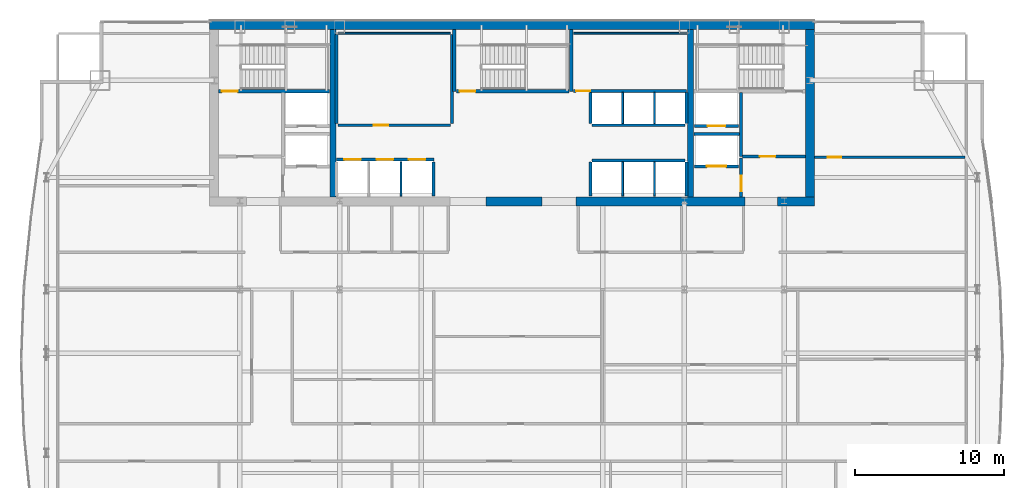
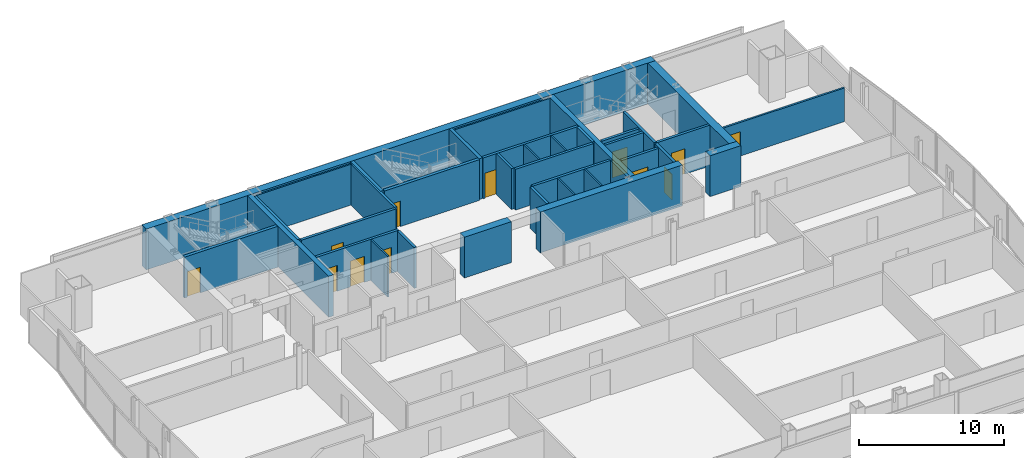
# One storey, part 26 of 29: 37 walls, 12 doors, 12 openings.
"""IFC4 building model written with IfcOpenShell, lengths in metres."""

from ifc_helpers import new_model, si_unit, direction, frame, frame_2d, origin, place, context, subcontext, project, spatial, rectangle, extrude, material, layer, layer_set, type_object, element, fill, save


model = new_model("IFC4")

# Units and contexts
model_context = context("Model", 3, precision=1e-05, world=origin(), true_north=direction((0.0, 1.0)))
body_context = subcontext(model_context, "Body", "Model", "MODEL_VIEW")
ifc_project = project(units=[si_unit("LENGTHUNIT", "METRE"), si_unit("AREAUNIT", "SQUARE_METRE"), si_unit("VOLUMEUNIT", "CUBIC_METRE"), si_unit("PLANEANGLEUNIT", "RADIAN"), si_unit("MASSUNIT", "GRAM", prefix="KILO")], contexts=[model_context])

# Site, building, storey
site_placement = place(None, origin())
site = spatial("IfcSite", under=ifc_project, at=site_placement, CompositionType="ELEMENT")
building_placement = place(site_placement, origin())
building = spatial("IfcBuilding", under=site, at=building_placement, Name="Khoronbel Lancet Exchange", CompositionType="ELEMENT")
storey_placement = place(building_placement, frame((0.0, 0.0, 177.0)))
storey = spatial("IfcBuildingStorey", under=building, at=storey_placement, Name="L44", CompositionType="ELEMENT", Elevation=177.0)

# Walls
ifc_material_1 = material(Name="Concrete C60/75", Category="concrete")
ifc_layer_1 = layer(ifc_material_1, 0.60009765625, Name="Concrete C60/75")
ifc_layer_set_1 = layer_set([ifc_layer_1], Name="Concrete C60/75")
wall_type_1 = type_object("IfcWallType", Name="WL-CW3", PredefinedType="SHEAR", material=ifc_layer_set_1)
wall_1_placement = place(storey_placement, frame((16.199951171875, 53.39990234375, 0.0), z_axis=(0.0, 0.0, 1.0), x_axis=(1.0, 0.0, 0.0)))
element("IfcWall", 1, at=wall_1_placement, inside=storey, type_object=wall_type_1, Name="Level L44 rear core north shear wall", PredefinedType="SHEAR", context=body_context, shape_type="SweptSolid", body=[
    extrude(rectangle(XDim=40.5, YDim=0.60009765625, at=frame_2d((20.25, 0.0))), origin(), (0.0, 0.0, 1.0), 3.43994140625),
])
wall_2_placement = place(storey_placement, frame((56.39990234375, 53.10009765625, 0.0), z_axis=(0.0, 0.0, 1.0), x_axis=(0.0, -1.0, 0.0)))
element("IfcWall", 2, at=wall_2_placement, inside=storey, type_object=wall_type_1, Name="Level L44 rear core east shear wall", PredefinedType="SHEAR", context=body_context, shape_type="SweptSolid", body=[
    extrude(rectangle(XDim=11.2001953125, YDim=0.60009765625, at=frame_2d((5.60009765625, 0.0))), origin(), (0.0, 0.0, 1.0), 3.43994140625),
])
wall_3_placement = place(storey_placement, frame((38.449951171875, 41.60009765625, 0.0), z_axis=(0.0, 0.0, 1.0), x_axis=(-1.0, 0.0, 0.0)))
element("IfcWall", 3, at=wall_3_placement, inside=storey, type_object=wall_type_1, Name="Level L44 rear core south shear wall pier P3", PredefinedType="SHEAR", context=body_context, shape_type="SweptSolid", body=[
    extrude(rectangle(XDim=3.75, YDim=0.60009765625, at=frame_2d((1.875, 0.0))), origin(), (0.0, 0.0, 1.0), 3.43994140625),
])
wall_4_placement = place(storey_placement, frame((52.050048828125, 41.60009765625, 0.0), z_axis=(0.0, 0.0, 1.0), x_axis=(-1.0, 0.0, 0.0)))
element("IfcWall", 4, at=wall_4_placement, inside=storey, type_object=wall_type_1, Name="Level L44 rear core south shear wall pier P4", PredefinedType="SHEAR", context=body_context, shape_type="SweptSolid", body=[
    extrude(rectangle(XDim=11.300048828125, YDim=0.60009765625, at=frame_2d((5.64990234375, 0.0))), origin(), (0.0, 0.0, 1.0), 3.43994140625),
])
wall_5_placement = place(storey_placement, frame((56.699951171875, 41.60009765625, 0.0), z_axis=(0.0, 0.0, 1.0), x_axis=(-1.0, 0.0, 0.0)))
element("IfcWall", 5, at=wall_5_placement, inside=storey, type_object=wall_type_1, Name="Level L44 rear core south shear wall pier P5", PredefinedType="SHEAR", context=body_context, shape_type="SweptSolid", body=[
    extrude(rectangle(XDim=2.449951171875, YDim=0.60009765625, at=frame_2d((1.22509765625, 0.0))), origin(), (0.0, 0.0, 1.0), 3.43994140625),
])

# Wall, opening, door
ifc_material_2 = material(Name="Acoustic Metal-Stud & Mineral-Wool Gypsum Partition 120 mm", Category="gypsum")
ifc_layer_2 = layer(ifc_material_2, 0.1201171875, Name="Acoustic Metal-Stud & Mineral-Wool Gypsum Partition 120 mm")
ifc_layer_set_2 = layer_set([ifc_layer_2], Name="Acoustic Metal-Stud & Mineral-Wool Gypsum Partition 120 mm")
wall_type_2 = type_object("IfcWallType", Name="WL-PRT120", PredefinedType="PARTITIONING", material=ifc_layer_set_2)
wall_6_placement = place(storey_placement, frame((56.699951171875, 44.56005859375, 0.0), z_axis=(0.0, 0.0, 1.0), x_axis=(1.0, 0.0, 0.0)))
wall_6 = element("IfcWall", 6, at=wall_6_placement, inside=storey, type_object=wall_type_2, Name="Level L44 interior partition PW-NE-H", PredefinedType="PARTITIONING", context=body_context, shape_type="SweptSolid", body=[
    extrude(rectangle(XDim=10.10498046875, YDim=0.14990234375, at=frame_2d((5.052490234375, 0.0))), origin(), (0.0, 0.0, 1.0), 2.830078125),
])
opening_1_placement = place(wall_6_placement, frame((0.89990234375, 0.0, 0.0)))
opening_1 = element("IfcOpeningElement", 7, at=opening_1_placement, cuts=wall_6, Name="Opening D5", PredefinedType="OPENING", context=body_context, shape_type="SweptSolid", body=[
    extrude(rectangle(XDim=0.89990234375, YDim=2.050048828125, at=frame_2d((0.449951171875, 1.02490234375))), frame((0.0, 0.0849609375, 0.0), z_axis=(0.0, -1.0, 0.0), x_axis=(1.0, 0.0, 0.0)), (0.0, 0.0, 1.0), 0.169921875),
])
ifc_material_3 = material(Name="Acoustic Timber Pantry & Support Door", Category="wood")
door_type_1 = type_object("IfcDoorType", Name="DR-D5", OperationType="NOTDEFINED", PredefinedType="DOOR", material=ifc_material_3)
door_1_placement = place(opening_1_placement, origin())
door_1 = element("IfcDoor", 8, at=door_1_placement, inside=storey, type_object=door_type_1, Name="NE north room door L44-1", OperationType="SINGLE_SWING_LEFT", OverallHeight=2.050048828125, OverallWidth=0.89990234375, PredefinedType="DOOR", context=body_context, shape_type="SweptSolid", body=[
    extrude(rectangle(XDim=0.89990234375, YDim=2.050048828125, at=frame_2d((0.449951171875, 1.02490234375))), frame((0.0, 0.02490234375, 0.0), z_axis=(0.0, -1.0, 0.0), x_axis=(1.0, 0.0, 0.0)), (0.0, 0.0, 1.0), 0.050048828125),
])
fill(opening_1, door_1)

# Walls
ifc_material_4 = material(Name="Fire-Rated Metal-Stud & Mineral-Wool Gypsum Partition 120 mm", Category="gypsum")
ifc_layer_3 = layer(ifc_material_4, 0.1201171875, Name="Fire-Rated Metal-Stud & Mineral-Wool Gypsum Partition 120 mm")
ifc_layer_set_3 = layer_set([ifc_layer_3], Name="Fire-Rated Metal-Stud & Mineral-Wool Gypsum Partition 120 mm")
wall_type_3 = type_object("IfcWallType", Name="WL-PRT120F", PredefinedType="PARTITIONING", material=ifc_layer_set_3)
wall_7_placement = place(storey_placement, frame((24.804931640625, 52.860107421875, 0.0), z_axis=(0.0, 0.0, 1.0), x_axis=(1.0, 0.0, 0.0)))
element("IfcWall", 9, at=wall_7_placement, inside=storey, type_object=wall_type_3, Name="Level L44 interior partition CW-PL-RN", PredefinedType="PARTITIONING", context=body_context, shape_type="SweptSolid", body=[
    extrude(rectangle(XDim=7.510009765625, YDim=0.1201171875, at=frame_2d((3.7548828125, 0.0))), origin(), (0.0, 0.0, 1.0), 3.43994140625),
])
wall_8_placement = place(storey_placement, frame((29.02001953125, 41.949951171875, 0.0), z_axis=(0.0, 0.0, 1.0), x_axis=(0.0, 1.0, 0.0)))
element("IfcWall", 10, at=wall_8_placement, inside=storey, type_object=wall_type_3, Name="Level L44 interior partition CW-PM-D2", PredefinedType="PARTITIONING", context=body_context, shape_type="SweptSolid", body=[
    extrude(rectangle(XDim=2.300048828125, YDim=0.1201171875, at=frame_2d((1.14990234375, 0.0))), origin(), (0.0, 0.0, 1.0), 3.43994140625),
])
for number, where, z_axis, x_axis, name in (
    (11, (43.860107421875, 46.804931640625, 0.0), (0.0, 0.0, 1.0), (0.0, 1.0, 0.0), "Level L44 interior partition CW-PH-D1"),
    (12, (46.0, 46.804931640625, 0.0), (0.0, 0.0, 1.0), (0.0, 1.0, 0.0), "Level L44 interior partition CW-PH-D2"),
):
    element("IfcWall", number, at=place(storey_placement, frame(where, z_axis=z_axis, x_axis=x_axis)), inside=storey, type_object=wall_type_3, Name=name, PredefinedType="PARTITIONING", context=body_context, shape_type="SweptSolid", body=[
        extrude(rectangle(XDim=2.090087890625, YDim=0.1201171875, at=frame_2d((1.044921875, 0.0))), origin(), (0.0, 0.0, 1.0), 3.43994140625),
    ])
for number, where, z_axis, x_axis, name in (
    (13, (43.860107421875, 41.949951171875, 0.0), (0.0, 0.0, 1.0), (0.0, 1.0, 0.0), "Level L44 interior partition CW-PX-D1"),
    (14, (46.0, 41.949951171875, 0.0), (0.0, 0.0, 1.0), (0.0, 1.0, 0.0), "Level L44 interior partition CW-PX-D2"),
):
    element("IfcWall", number, at=place(storey_placement, frame(where, z_axis=z_axis, x_axis=x_axis)), inside=storey, type_object=wall_type_3, Name=name, PredefinedType="PARTITIONING", context=body_context, shape_type="SweptSolid", body=[
        extrude(rectangle(XDim=2.295166015625, YDim=0.1201171875, at=frame_2d((1.1474609375, 0.0))), origin(), (0.0, 0.0, 1.0), 3.43994140625),
    ])
wall_9_placement = place(storey_placement, frame((40.580078125, 52.860107421875, 0.0), z_axis=(0.0, 0.0, 1.0), x_axis=(1.0, 0.0, 0.0)))
element("IfcWall", 15, at=wall_9_placement, inside=storey, type_object=wall_type_3, Name="Level L44 interior partition CW-SUP-NE-N", PredefinedType="PARTITIONING", context=body_context, shape_type="SweptSolid", body=[
    extrude(rectangle(XDim=7.559814453125, YDim=0.1201171875, at=frame_2d((3.77978515625, 0.0))), origin(), (0.0, 0.0, 1.0), 3.43994140625),
])

# Wall, openings, doors
ifc_material_5 = material(Name="Autoclaved Aerated Concrete Blockwork 200 mm", Category="masonry")
ifc_layer_4 = layer(ifc_material_5, 0.199951171875, Name="Autoclaved Aerated Concrete Blockwork 200 mm")
ifc_layer_set_4 = layer_set([ifc_layer_4], Name="Autoclaved Aerated Concrete Blockwork 200 mm")
wall_type_4 = type_object("IfcWallType", Name="WL-PRT200", PredefinedType="PARTITIONING", material=ifc_layer_set_4)
wall_10_placement = place(storey_placement, frame((24.68994140625, 44.39990234375, 0.0), z_axis=(0.0, 0.0, 1.0), x_axis=(1.0, 0.0, 0.0)))
wall_10 = element("IfcWall", 16, at=wall_10_placement, inside=storey, type_object=wall_type_4, Name="Level L44 elevator hoistway landing front wall PMW", PredefinedType="PARTITIONING", context=body_context, shape_type="SweptSolid", body=[
    extrude(rectangle(XDim=6.530029296875, YDim=0.199951171875, at=frame_2d((3.26513671875, 0.0))), origin(), (0.0, 0.0, 1.0), 3.43994140625),
])
opening_2_placement = place(wall_10_placement, frame((0.530029296875, 0.0, 0.0)))
opening_2 = element("IfcOpeningElement", 17, at=opening_2_placement, cuts=wall_10, Name="Opening LD-PM1", PredefinedType="OPENING", context=body_context, shape_type="SweptSolid", body=[
    extrude(rectangle(XDim=1.10009765625, YDim=2.179931640625, at=frame_2d((0.550048828125, 1.08984375))), frame((0.0, 0.10986328125, 0.0), z_axis=(0.0, -1.0, 0.0), x_axis=(1.0, 0.0, 0.0)), (0.0, 0.0, 1.0), 0.219970703125),
])
opening_3_placement = place(wall_10_placement, frame((2.68994140625, 0.0, 0.0)))
opening_3 = element("IfcOpeningElement", 18, at=opening_3_placement, cuts=wall_10, Name="Opening LD-PM2", PredefinedType="OPENING", context=body_context, shape_type="SweptSolid", body=[
    extrude(rectangle(XDim=1.10009765625, YDim=2.179931640625, at=frame_2d((0.550048828125, 1.08984375))), frame((0.0, 0.10986328125, 0.0), z_axis=(0.0, -1.0, 0.0), x_axis=(1.0, 0.0, 0.0)), (0.0, 0.0, 1.0), 0.219970703125),
])
opening_4_placement = place(wall_10_placement, frame((4.85009765625, 0.0, 0.0)))
opening_4 = element("IfcOpeningElement", 19, at=opening_4_placement, cuts=wall_10, Name="Opening LD-PM3", PredefinedType="OPENING", context=body_context, shape_type="SweptSolid", body=[
    extrude(rectangle(XDim=1.10009765625, YDim=2.179931640625, at=frame_2d((0.550048828125, 1.08984375))), frame((0.0, 0.10986328125, 0.0), z_axis=(0.0, -1.0, 0.0), x_axis=(1.0, 0.0, 0.0)), (0.0, 0.0, 1.0), 0.219970703125),
])
ifc_material_6 = material(Name="Brushed Bronze Bi-Parting Elevator Landing Door", Category="steel")
door_type_2 = type_object("IfcDoorType", Name="DR-LD-PAX", OperationType="NOTDEFINED", PredefinedType="DOOR", material=ifc_material_6)
door_2_placement = place(opening_2_placement, origin())
door_2 = element("IfcDoor", 20, at=door_2_placement, inside=storey, type_object=door_type_2, Name="Elevator landing sliding door LD-PM1 L44", OperationType="SLIDING_TO_LEFT", OverallHeight=2.179931640625, OverallWidth=1.10009765625, PredefinedType="DOOR", context=body_context, shape_type="SweptSolid", body=[
    extrude(rectangle(XDim=1.10009765625, YDim=2.179931640625, at=frame_2d((0.550048828125, 1.08984375))), frame((0.0, 0.02490234375, 0.0), z_axis=(0.0, -1.0, 0.0), x_axis=(1.0, 0.0, 0.0)), (0.0, 0.0, 1.0), 0.050048828125),
])
fill(opening_2, door_2)
door_3_placement = place(opening_3_placement, origin())
door_3 = element("IfcDoor", 21, at=door_3_placement, inside=storey, type_object=door_type_2, Name="Elevator landing sliding door LD-PM2 L44", OperationType="SLIDING_TO_LEFT", OverallHeight=2.179931640625, OverallWidth=1.10009765625, PredefinedType="DOOR", context=body_context, shape_type="SweptSolid", body=[
    extrude(rectangle(XDim=1.10009765625, YDim=2.179931640625, at=frame_2d((0.550048828125, 1.08984375))), frame((0.0, 0.02490234375, 0.0), z_axis=(0.0, -1.0, 0.0), x_axis=(1.0, 0.0, 0.0)), (0.0, 0.0, 1.0), 0.050048828125),
])
fill(opening_3, door_3)
door_4_placement = place(opening_4_placement, origin())
door_4 = element("IfcDoor", 22, at=door_4_placement, inside=storey, type_object=door_type_2, Name="Elevator landing sliding door LD-PM3 L44", OperationType="SLIDING_TO_LEFT", OverallHeight=2.179931640625, OverallWidth=1.10009765625, PredefinedType="DOOR", context=body_context, shape_type="SweptSolid", body=[
    extrude(rectangle(XDim=1.10009765625, YDim=2.179931640625, at=frame_2d((0.550048828125, 1.08984375))), frame((0.0, 0.02490234375, 0.0), z_axis=(0.0, -1.0, 0.0), x_axis=(1.0, 0.0, 0.0)), (0.0, 0.0, 1.0), 0.050048828125),
])
fill(opening_4, door_4)

# Wall, opening, door
wall_11_placement = place(storey_placement, frame((51.610107421875, 43.949951171875, 0.0), z_axis=(0.0, 0.0, 1.0), x_axis=(-1.0, 0.0, 0.0)))
wall_11 = element("IfcWall", 23, at=wall_11_placement, inside=storey, type_object=wall_type_4, Name="Level L44 elevator hoistway landing front wall SVLE", PredefinedType="PARTITIONING", context=body_context, shape_type="SweptSolid", body=[
    extrude(rectangle(XDim=2.920166015625, YDim=0.199951171875, at=frame_2d((1.4599609375, 0.0))), origin(), (0.0, 0.0, 1.0), 3.43994140625),
])
opening_5_placement = place(wall_11_placement, frame((0.81005859375, 0.0, 0.0)))
opening_5 = element("IfcOpeningElement", 24, at=opening_5_placement, cuts=wall_11, Name="Opening LD-SVL2", PredefinedType="OPENING", context=body_context, shape_type="SweptSolid", body=[
    extrude(rectangle(XDim=1.300048828125, YDim=2.179931640625, at=frame_2d((0.64990234375, 1.08984375))), frame((0.0, 0.10986328125, 0.0), z_axis=(0.0, -1.0, 0.0), x_axis=(1.0, 0.0, 0.0)), (0.0, 0.0, 1.0), 0.219970703125),
])
ifc_material_7 = material(Name="Heavy-Duty Bi-Parting Goods Lift Landing Door", Category="steel")
door_type_3 = type_object("IfcDoorType", Name="DR-LD-SVL", OperationType="NOTDEFINED", PredefinedType="DOOR", material=ifc_material_7)
door_5_placement = place(opening_5_placement, origin())
door_5 = element("IfcDoor", 25, at=door_5_placement, inside=storey, type_object=door_type_3, Name="Elevator landing sliding door LD-SVL2 L44", OperationType="SLIDING_TO_LEFT", OverallHeight=2.179931640625, OverallWidth=1.300048828125, PredefinedType="DOOR", context=body_context, shape_type="SweptSolid", body=[
    extrude(rectangle(XDim=1.300048828125, YDim=2.179931640625, at=frame_2d((0.64990234375, 1.08984375))), frame((0.0, 0.02490234375, 0.0), z_axis=(0.0, -1.0, 0.0), x_axis=(1.0, 0.0, 0.0)), (0.0, 0.0, 1.0), 0.050048828125),
])
fill(opening_5, door_5)

wall_12_placement = place(storey_placement, frame((51.610107421875, 46.64990234375, 0.0), z_axis=(0.0, 0.0, 1.0), x_axis=(-1.0, 0.0, 0.0)))
wall_12 = element("IfcWall", 26, at=wall_12_placement, inside=storey, type_object=wall_type_4, Name="Level L44 elevator hoistway landing front wall FFLE", PredefinedType="PARTITIONING", context=body_context, shape_type="SweptSolid", body=[
    extrude(rectangle(XDim=2.920166015625, YDim=0.199951171875, at=frame_2d((1.4599609375, 0.0))), origin(), (0.0, 0.0, 1.0), 3.43994140625),
])
opening_6_placement = place(wall_12_placement, frame((0.860107421875, 0.0, 0.0)))
opening_6 = element("IfcOpeningElement", 27, at=opening_6_placement, cuts=wall_12, Name="Opening LD-FFL2", PredefinedType="OPENING", context=body_context, shape_type="SweptSolid", body=[
    extrude(rectangle(XDim=1.199951171875, YDim=2.179931640625, at=frame_2d((0.60009765625, 1.08984375))), frame((0.0, 0.10986328125, 0.0), z_axis=(0.0, -1.0, 0.0), x_axis=(1.0, 0.0, 0.0)), (0.0, 0.0, 1.0), 0.219970703125),
])
ifc_material_8 = material(Name="Fire-Rated Stainless Bi-Parting Firefighting Lift Door", Category="steel")
door_type_4 = type_object("IfcDoorType", Name="DR-LD-FFL", OperationType="NOTDEFINED", PredefinedType="DOOR", material=ifc_material_8)
door_6_placement = place(opening_6_placement, origin())
door_6 = element("IfcDoor", 28, at=door_6_placement, inside=storey, type_object=door_type_4, Name="Elevator landing sliding door LD-FFL2 L44", OperationType="SLIDING_TO_LEFT", OverallHeight=2.179931640625, OverallWidth=1.199951171875, PredefinedType="DOOR", context=body_context, shape_type="SweptSolid", body=[
    extrude(rectangle(XDim=1.199951171875, YDim=2.179931640625, at=frame_2d((0.60009765625, 1.08984375))), frame((0.0, 0.02490234375, 0.0), z_axis=(0.0, -1.0, 0.0), x_axis=(1.0, 0.0, 0.0)), (0.0, 0.0, 1.0), 0.050048828125),
])
fill(opening_6, door_6)

# Wall
wall_13_placement = place(storey_placement, frame((51.800048828125, 44.60009765625, 0.0), z_axis=(0.0, 0.0, 1.0), x_axis=(0.0, 1.0, 0.0)))
element("IfcWall", 29, at=wall_13_placement, inside=storey, type_object=wall_type_4, Name="Level L44 interior partition CW-FFLE-W", PredefinedType="PARTITIONING", context=body_context, shape_type="SweptSolid", body=[
    extrude(rectangle(XDim=4.2998046875, YDim=0.199951171875, at=frame_2d((2.14990234375, 0.0))), origin(), (0.0, 0.0, 1.0), 3.43994140625),
])

# Wall, opening, door
wall_14_placement = place(storey_placement, frame((51.89990234375, 44.60009765625, 0.0), z_axis=(0.0, 0.0, 1.0), x_axis=(1.0, 0.0, 0.0)))
wall_14 = element("IfcWall", 30, at=wall_14_placement, inside=storey, type_object=wall_type_4, Name="Level L44 interior partition CW-FFLE-S", PredefinedType="PARTITIONING", context=body_context, shape_type="SweptSolid", body=[
    extrude(rectangle(XDim=4.2001953125, YDim=0.199951171875, at=frame_2d((2.10009765625, 0.0))), origin(), (0.0, 0.0, 1.0), 3.43994140625),
])
opening_7_placement = place(wall_14_placement, frame((1.14990234375, 0.0, 0.0)))
opening_7 = element("IfcOpeningElement", 31, at=opening_7_placement, cuts=wall_14, Name="Opening FD1", PredefinedType="OPENING", context=body_context, shape_type="SweptSolid", body=[
    extrude(rectangle(XDim=1.050048828125, YDim=2.14990234375, at=frame_2d((0.52490234375, 1.074951171875))), frame((0.0, 0.10986328125, 0.0), z_axis=(0.0, -1.0, 0.0), x_axis=(1.0, 0.0, 0.0)), (0.0, 0.0, 1.0), 0.219970703125),
])
ifc_material_9 = material(Name="Fire-Rated Painted Steel Door Assembly", Category="steel")
door_type_5 = type_object("IfcDoorType", Name="DR-FD1", OperationType="NOTDEFINED", PredefinedType="DOOR", material=ifc_material_9)
door_7_placement = place(opening_7_placement, origin())
door_7 = element("IfcDoor", 32, at=door_7_placement, inside=storey, type_object=door_type_5, Name="East firefighting lobby FD90S door L44-1", OperationType="SINGLE_SWING_LEFT", OverallHeight=2.14990234375, OverallWidth=1.050048828125, PredefinedType="DOOR", context=body_context, shape_type="SweptSolid", body=[
    extrude(rectangle(XDim=1.050048828125, YDim=2.14990234375, at=frame_2d((0.52490234375, 1.074951171875))), frame((0.0, 0.02490234375, 0.0), z_axis=(0.0, -1.0, 0.0), x_axis=(1.0, 0.0, 0.0)), (0.0, 0.0, 1.0), 0.050048828125),
])
fill(opening_7, door_7)

# Wall
wall_15_placement = place(storey_placement, frame((48.6298828125, 46.1201171875, 0.0), z_axis=(0.0, 0.0, 1.0), x_axis=(1.0, 0.0, 0.0)))
element("IfcWall", 33, at=wall_15_placement, inside=storey, type_object=wall_type_4, Name="Level L44 interior partition CW-FFL2-S", PredefinedType="PARTITIONING", context=body_context, shape_type="SweptSolid", body=[
    extrude(rectangle(XDim=3.070068359375, YDim=0.199951171875, at=frame_2d((1.53515625, 0.0))), origin(), (0.0, 0.0, 1.0), 3.43994140625),
])

# Wall, opening, door
wall_16_placement = place(storey_placement, frame((51.800048828125, 41.89990234375, 0.0), z_axis=(0.0, 0.0, 1.0), x_axis=(0.0, 1.0, 0.0)))
wall_16 = element("IfcWall", 34, at=wall_16_placement, inside=storey, type_object=wall_type_4, Name="Level L44 interior partition CW-SVLE-E", PredefinedType="PARTITIONING", context=body_context, shape_type="SweptSolid", body=[
    extrude(rectangle(XDim=2.59521484375, YDim=0.199951171875, at=frame_2d((1.297607421875, 0.0))), origin(), (0.0, 0.0, 1.0), 3.43994140625),
])
opening_8_placement = place(wall_16_placement, frame((0.3798828125, 0.0, 0.0)))
opening_8 = element("IfcOpeningElement", 35, at=opening_8_placement, cuts=wall_16, Name="Opening FD1", PredefinedType="OPENING", context=body_context, shape_type="SweptSolid", body=[
    extrude(rectangle(XDim=1.050048828125, YDim=2.14990234375, at=frame_2d((0.52490234375, 1.074951171875))), frame((0.0, 0.10986328125, 0.0), z_axis=(0.0, -1.0, 0.0), x_axis=(1.0, 0.0, 0.0)), (0.0, 0.0, 1.0), 0.219970703125),
])
door_8_placement = place(opening_8_placement, origin())
door_8 = element("IfcDoor", 36, at=door_8_placement, inside=storey, type_object=door_type_5, Name="East service lift lobby door L44-1", OperationType="SINGLE_SWING_RIGHT", OverallHeight=2.14990234375, OverallWidth=1.050048828125, PredefinedType="DOOR", context=body_context, shape_type="SweptSolid", body=[
    extrude(rectangle(XDim=1.050048828125, YDim=2.14990234375, at=frame_2d((0.52490234375, 1.074951171875))), frame((0.0, 0.02490234375, 0.0), z_axis=(0.0, -1.0, 0.0), x_axis=(1.0, 0.0, 0.0)), (0.0, 0.0, 1.0), 0.050048828125),
])
fill(opening_8, door_8)

# Walls
for number, where, z_axis, x_axis, name in (
    (37, (24.699951171875, 46.804931640625, 0.0), (0.0, 0.0, 1.0), (0.0, 1.0, 0.0), "Level L44 interior partition CW-PL-RW"),
    (38, (32.419921875, 46.804931640625, 0.0), (0.0, 0.0, 1.0), (0.0, 1.0, 0.0), "Level L44 interior partition CW-PL-RE"),
):
    element("IfcWall", number, at=place(storey_placement, frame(where, z_axis=z_axis, x_axis=x_axis)), inside=storey, type_object=wall_type_4, Name=name, PredefinedType="PARTITIONING", context=body_context, shape_type="SweptSolid", body=[
        extrude(rectangle(XDim=5.989990234375, YDim=0.199951171875, at=frame_2d((2.9951171875, 0.0))), origin(), (0.0, 0.0, 1.0), 3.43994140625),
    ])

# Wall, opening, door
wall_17_placement = place(storey_placement, frame((24.804931640625, 46.699951171875, 0.0), z_axis=(0.0, 0.0, 1.0), x_axis=(1.0, 0.0, 0.0)))
wall_17 = element("IfcWall", 39, at=wall_17_placement, inside=storey, type_object=wall_type_4, Name="Level L44 interior partition CW-PL-RF", PredefinedType="PARTITIONING", context=body_context, shape_type="SweptSolid", body=[
    extrude(rectangle(XDim=7.510009765625, YDim=0.199951171875, at=frame_2d((3.7548828125, 0.0))), origin(), (0.0, 0.0, 1.0), 3.43994140625),
])
opening_9_placement = place(wall_17_placement, frame((2.39990234375, 0.0, 0.0)))
opening_9 = element("IfcOpeningElement", 40, at=opening_9_placement, cuts=wall_17, Name="Opening FD3", PredefinedType="OPENING", context=body_context, shape_type="SweptSolid", body=[
    extrude(rectangle(XDim=0.949951171875, YDim=2.10009765625, at=frame_2d((0.47509765625, 1.050048828125))), frame((0.0, 0.10986328125, 0.0), z_axis=(0.0, -1.0, 0.0), x_axis=(1.0, 0.0, 0.0)), (0.0, 0.0, 1.0), 0.219970703125),
])
ifc_material_10 = material(Name="Fire-Rated Steel Plant & Riser Door Assembly", Category="steel")
door_type_6 = type_object("IfcDoorType", Name="DR-FD3", OperationType="NOTDEFINED", PredefinedType="DOOR", material=ifc_material_10)
door_9_placement = place(opening_9_placement, origin())
door_9 = element("IfcDoor", 41, at=door_9_placement, inside=storey, type_object=door_type_6, Name="Reclaimed PL room door L44-1", OperationType="SINGLE_SWING_LEFT", OverallHeight=2.10009765625, OverallWidth=0.949951171875, PredefinedType="DOOR", context=body_context, shape_type="SweptSolid", body=[
    extrude(rectangle(XDim=0.949951171875, YDim=2.10009765625, at=frame_2d((0.47509765625, 1.050048828125))), frame((0.0, 0.02490234375, 0.0), z_axis=(0.0, -1.0, 0.0), x_axis=(1.0, 0.0, 0.0)), (0.0, 0.0, 1.0), 0.050048828125),
])
fill(opening_9, door_9)

# Walls
wall_18_placement = place(storey_placement, frame((31.179931640625, 41.949951171875, 0.0), z_axis=(0.0, 0.0, 1.0), x_axis=(0.0, 1.0, 0.0)))
element("IfcWall", 42, at=wall_18_placement, inside=storey, type_object=wall_type_4, Name="Level L44 interior partition CW-PM-E", PredefinedType="PARTITIONING", context=body_context, shape_type="SweptSolid", body=[
    extrude(rectangle(XDim=2.300048828125, YDim=0.199951171875, at=frame_2d((1.14990234375, 0.0))), origin(), (0.0, 0.0, 1.0), 3.43994140625),
])
wall_19_placement = place(storey_placement, frame((41.824951171875, 46.699951171875, 0.0), z_axis=(0.0, 0.0, 1.0), x_axis=(1.0, 0.0, 0.0)))
element("IfcWall", 43, at=wall_19_placement, inside=storey, type_object=wall_type_4, Name="Level L44 interior partition CW-PH-EXP", PredefinedType="PARTITIONING", context=body_context, shape_type="SweptSolid", body=[
    extrude(rectangle(XDim=6.2099609375, YDim=0.199951171875, at=frame_2d((3.10498046875, 0.0))), origin(), (0.0, 0.0, 1.0), 3.43994140625),
])
for number, where, z_axis, x_axis, name in (
    (44, (41.719970703125, 46.804931640625, 0.0), (0.0, 0.0, 1.0), (0.0, 1.0, 0.0), "Level L44 interior partition CW-PH-W"),
    (45, (48.139892578125, 46.804931640625, 0.0), (0.0, 0.0, 1.0), (0.0, 1.0, 0.0), "Level L44 interior partition CW-PH-E"),
):
    element("IfcWall", number, at=place(storey_placement, frame(where, z_axis=z_axis, x_axis=x_axis)), inside=storey, type_object=wall_type_4, Name=name, PredefinedType="PARTITIONING", context=body_context, shape_type="SweptSolid", body=[
        extrude(rectangle(XDim=2.090087890625, YDim=0.199951171875, at=frame_2d((1.044921875, 0.0))), origin(), (0.0, 0.0, 1.0), 3.43994140625),
    ])
wall_20_placement = place(storey_placement, frame((41.824951171875, 44.35009765625, 0.0), z_axis=(0.0, 0.0, 1.0), x_axis=(1.0, 0.0, 0.0)))
element("IfcWall", 46, at=wall_20_placement, inside=storey, type_object=wall_type_4, Name="Level L44 interior partition CW-PX-EXP", PredefinedType="PARTITIONING", context=body_context, shape_type="SweptSolid", body=[
    extrude(rectangle(XDim=6.2099609375, YDim=0.199951171875, at=frame_2d((3.10498046875, 0.0))), origin(), (0.0, 0.0, 1.0), 3.43994140625),
])
for number, where, z_axis, x_axis, name in (
    (47, (41.719970703125, 41.949951171875, 0.0), (0.0, 0.0, 1.0), (0.0, 1.0, 0.0), "Level L44 interior partition CW-PX-W"),
    (48, (48.139892578125, 41.949951171875, 0.0), (0.0, 0.0, 1.0), (0.0, 1.0, 0.0), "Level L44 interior partition CW-PX-E"),
):
    element("IfcWall", number, at=place(storey_placement, frame(where, z_axis=z_axis, x_axis=x_axis)), inside=storey, type_object=wall_type_4, Name=name, PredefinedType="PARTITIONING", context=body_context, shape_type="SweptSolid", body=[
        extrude(rectangle(XDim=2.295166015625, YDim=0.199951171875, at=frame_2d((1.1474609375, 0.0))), origin(), (0.0, 0.0, 1.0), 3.43994140625),
    ])

# Wall, opening, door
wall_21_placement = place(storey_placement, frame((40.580078125, 49.0, 0.0), z_axis=(0.0, 0.0, 1.0), x_axis=(1.0, 0.0, 0.0)))
wall_21 = element("IfcWall", 49, at=wall_21_placement, inside=storey, type_object=wall_type_4, Name="Level L44 interior partition CW-SUP-NE-S", PredefinedType="PARTITIONING", context=body_context, shape_type="SweptSolid", body=[
    extrude(rectangle(XDim=7.559814453125, YDim=0.199951171875, at=frame_2d((3.77978515625, 0.0))), origin(), (0.0, 0.0, 1.0), 3.43994140625),
])
opening_10_placement = place(wall_21_placement, frame((0.159912109375, 0.0, 0.0)))
opening_10 = element("IfcOpeningElement", 50, at=opening_10_placement, cuts=wall_21, Name="Opening FD3", PredefinedType="OPENING", context=body_context, shape_type="SweptSolid", body=[
    extrude(rectangle(XDim=0.949951171875, YDim=2.10009765625, at=frame_2d((0.47509765625, 1.050048828125))), frame((0.0, 0.10986328125, 0.0), z_axis=(0.0, -1.0, 0.0), x_axis=(1.0, 0.0, 0.0)), (0.0, 0.0, 1.0), 0.219970703125),
])
door_10_placement = place(opening_10_placement, origin())
door_10 = element("IfcDoor", 51, at=door_10_placement, inside=storey, type_object=door_type_6, Name="Core NE support room door L44-1", OperationType="SINGLE_SWING_RIGHT", OverallHeight=2.10009765625, OverallWidth=0.949951171875, PredefinedType="DOOR", context=body_context, shape_type="SweptSolid", body=[
    extrude(rectangle(XDim=0.949951171875, YDim=2.10009765625, at=frame_2d((0.47509765625, 1.050048828125))), frame((0.0, 0.02490234375, 0.0), z_axis=(0.0, -1.0, 0.0), x_axis=(1.0, 0.0, 0.0)), (0.0, 0.0, 1.0), 0.050048828125),
])
fill(opening_10, door_10)

# Walls
ifc_layer_5 = layer(ifc_material_1, 0.39990234375, Name="Concrete C60/75")
ifc_layer_set_5 = layer_set([ifc_layer_5], Name="Concrete C60/75")
wall_type_5 = type_object("IfcWallType", Name="WL-SW2", PredefinedType="SHEAR", material=ifc_layer_set_5)
for number, where, z_axis, x_axis, name in (
    (52, (24.449951171875, 41.89990234375, 0.0), (0.0, 0.0, 1.0), (0.0, 1.0, 0.0), "Level L44 rear core internal spine shear wall IW"),
    (53, (48.39990234375, 41.89990234375, 0.0), (0.0, 0.0, 1.0), (0.0, 1.0, 0.0), "Level L44 rear core internal spine shear wall IE"),
):
    element("IfcWall", number, at=place(storey_placement, frame(where, z_axis=z_axis, x_axis=x_axis)), inside=storey, type_object=wall_type_5, Name=name, PredefinedType="SHEAR", context=body_context, shape_type="SweptSolid", body=[
        extrude(rectangle(XDim=11.2001953125, YDim=0.39990234375, at=frame_2d((5.60009765625, 0.0))), origin(), (0.0, 0.0, 1.0), 3.43994140625),
    ])
ifc_layer_6 = layer(ifc_material_1, 0.260009765625, Name="Concrete C60/75")
ifc_layer_set_6 = layer_set([ifc_layer_6], Name="Concrete C60/75")
wall_type_6 = type_object("IfcWallType", Name="WL-SW3", PredefinedType="SHEAR", material=ifc_layer_set_6)
for number, where, z_axis, x_axis, name in (
    (54, (32.580078125, 48.949951171875, 0.0), (0.0, 0.0, 1.0), (0.0, 1.0, 0.0), "Level L44 central stairwell structural shear wall ST3W"),
    (55, (40.419921875, 48.949951171875, 0.0), (0.0, 0.0, 1.0), (0.0, 1.0, 0.0), "Level L44 central stairwell structural shear wall ST3E"),
):
    element("IfcWall", number, at=place(storey_placement, frame(where, z_axis=z_axis, x_axis=x_axis)), inside=storey, type_object=wall_type_6, Name=name, PredefinedType="SHEAR", context=body_context, shape_type="SweptSolid", body=[
        extrude(rectangle(XDim=4.150146484375, YDim=0.260009765625, at=frame_2d((2.0751953125, 0.0))), origin(), (0.0, 0.0, 1.0), 3.43994140625),
    ])

# Wall, opening, door
wall_22_placement = place(storey_placement, frame((16.800048828125, 48.97998046875, 0.0), z_axis=(0.0, 0.0, 1.0), x_axis=(1.0, 0.0, 0.0)))
wall_22 = element("IfcWall", 56, at=wall_22_placement, inside=storey, type_object=wall_type_6, Name="Level L44 west stairwell structural south wall", PredefinedType="SHEAR", context=body_context, shape_type="SweptSolid", body=[
    extrude(rectangle(XDim=7.419921875, YDim=0.239990234375, at=frame_2d((3.7099609375, 0.0))), origin(), (0.0, 0.0, 1.0), 3.43994140625),
])
opening_11_placement = place(wall_22_placement, frame((0.219970703125, 0.0, 0.0)))
opening_11 = element("IfcOpeningElement", 57, at=opening_11_placement, cuts=wall_22, Name="Opening SD1", PredefinedType="OPENING", context=body_context, shape_type="SweptSolid", body=[
    extrude(rectangle(XDim=1.050048828125, YDim=2.14990234375, at=frame_2d((0.52490234375, 1.074951171875))), frame((0.0, 0.1298828125, 0.0), z_axis=(0.0, -1.0, 0.0), x_axis=(1.0, 0.0, 0.0)), (0.0, 0.0, 1.0), 0.260009765625),
])
ifc_material_11 = material(Name="Fire-Rated Steel Stairwell Door Assembly", Category="steel")
door_type_7 = type_object("IfcDoorType", Name="DR-SD1", OperationType="NOTDEFINED", PredefinedType="DOOR", material=ifc_material_11)
door_11_placement = place(opening_11_placement, origin())
door_11 = element("IfcDoor", 58, at=door_11_placement, inside=storey, type_object=door_type_7, Name="Protected exit stair ST1 door L44", OperationType="SINGLE_SWING_LEFT", OverallHeight=2.14990234375, OverallWidth=1.050048828125, PredefinedType="DOOR", context=body_context, shape_type="SweptSolid", body=[
    extrude(rectangle(XDim=1.050048828125, YDim=2.14990234375, at=frame_2d((0.52490234375, 1.074951171875))), frame((0.0, 0.02490234375, 0.0), z_axis=(0.0, -1.0, 0.0), x_axis=(1.0, 0.0, 0.0)), (0.0, 0.0, 1.0), 0.050048828125),
])
fill(opening_11, door_11)

wall_23_placement = place(storey_placement, frame((32.719970703125, 48.97998046875, 0.0), z_axis=(0.0, 0.0, 1.0), x_axis=(1.0, 0.0, 0.0)))
wall_23 = element("IfcWall", 59, at=wall_23_placement, inside=storey, type_object=wall_type_6, Name="Level L44 central stairwell structural south wall", PredefinedType="SHEAR", context=body_context, shape_type="SweptSolid", body=[
    extrude(rectangle(XDim=7.56005859375, YDim=0.239990234375, at=frame_2d((3.780029296875, 0.0))), origin(), (0.0, 0.0, 1.0), 3.43994140625),
])
opening_12_placement = place(wall_23_placement, frame((0.219970703125, 0.0, 0.0)))
opening_12 = element("IfcOpeningElement", 60, at=opening_12_placement, cuts=wall_23, Name="Opening SD1", PredefinedType="OPENING", context=body_context, shape_type="SweptSolid", body=[
    extrude(rectangle(XDim=1.050048828125, YDim=2.14990234375, at=frame_2d((0.52490234375, 1.074951171875))), frame((0.0, 0.1298828125, 0.0), z_axis=(0.0, -1.0, 0.0), x_axis=(1.0, 0.0, 0.0)), (0.0, 0.0, 1.0), 0.260009765625),
])
door_12_placement = place(opening_12_placement, origin())
door_12 = element("IfcDoor", 61, at=door_12_placement, inside=storey, type_object=door_type_7, Name="Protected exit stair ST3 door L44", OperationType="SINGLE_SWING_LEFT", OverallHeight=2.14990234375, OverallWidth=1.050048828125, PredefinedType="DOOR", context=body_context, shape_type="SweptSolid", body=[
    extrude(rectangle(XDim=1.050048828125, YDim=2.14990234375, at=frame_2d((0.52490234375, 1.074951171875))), frame((0.0, 0.02490234375, 0.0), z_axis=(0.0, -1.0, 0.0), x_axis=(1.0, 0.0, 0.0)), (0.0, 0.0, 1.0), 0.050048828125),
])
fill(opening_12, door_12)

save(model, "model.ifc")
